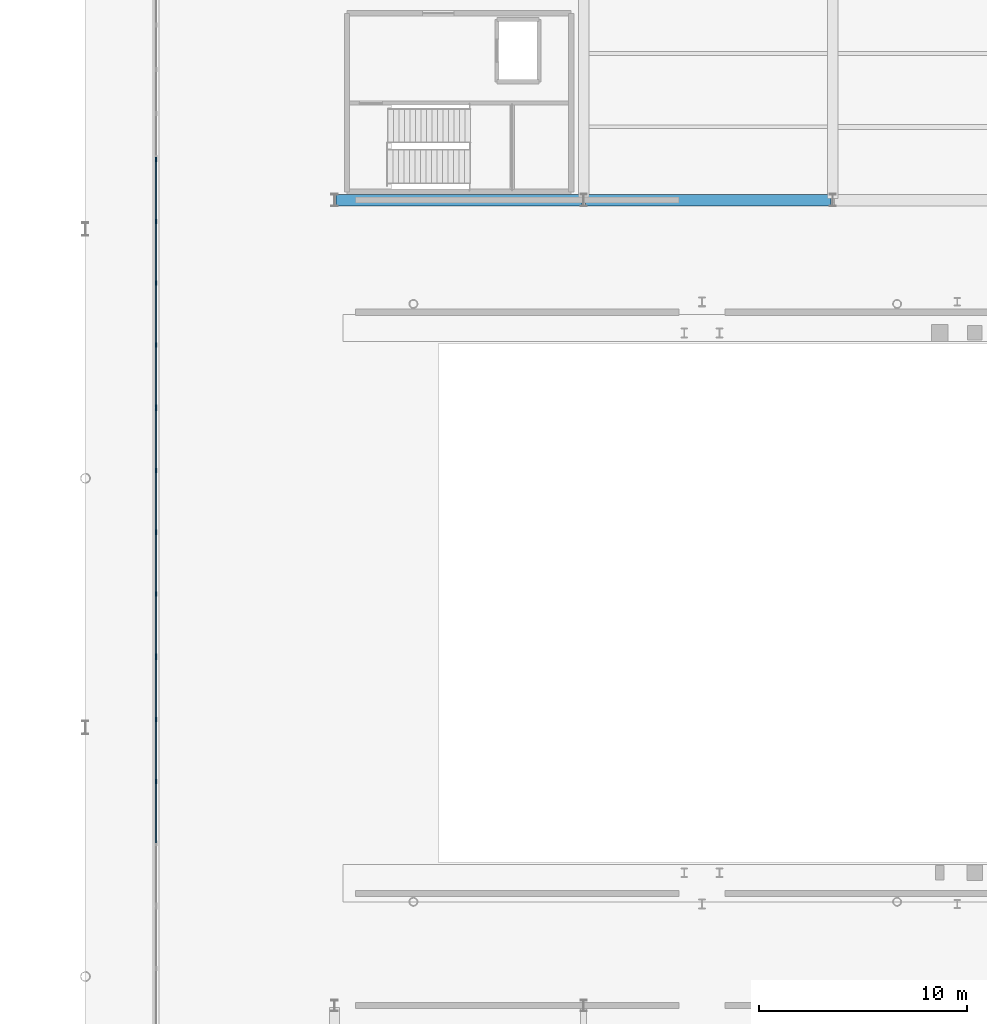
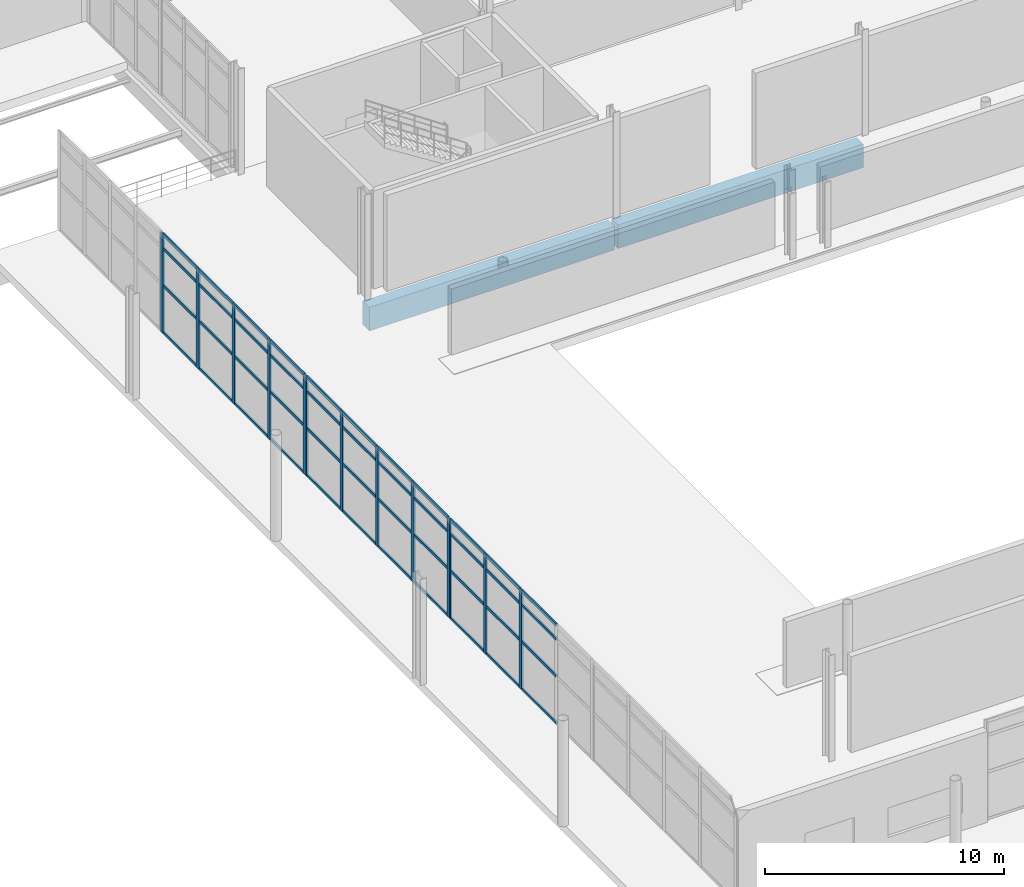
# One storey, part 18 of 85: 57 members, 2 beams, 3 elements without a shape of their own.
"""IFC4 building model written with IfcOpenShell, lengths in metres."""

from ifc_helpers import new_model, si_unit, direction, frame, origin, origin_2d, place, context, subcontext, project, spatial, rectangle, extrude, material, material_profile, profile_set, type_object, element, aggregate, save


model = new_model("IFC4")

# Units and contexts
model_context = context("Model", 3, precision=1e-05, world=origin(), true_north=direction((0.0, 1.0)))
body_context = subcontext(model_context, "Body", "Model", "MODEL_VIEW")
ifc_project = project(units=[si_unit("LENGTHUNIT", "METRE"), si_unit("AREAUNIT", "SQUARE_METRE"), si_unit("VOLUMEUNIT", "CUBIC_METRE"), si_unit("PLANEANGLEUNIT", "RADIAN"), si_unit("MASSUNIT", "GRAM", prefix="KILO"), si_unit("THERMODYNAMICTEMPERATUREUNIT", "KELVIN"), si_unit("POWERUNIT", "WATT")], contexts=[model_context])

# Site, building, storey
site_placement = place(None, origin())
site = spatial("IfcSite", under=ifc_project, at=site_placement, CompositionType="ELEMENT")
building_placement = place(site_placement, origin())
building = spatial("IfcBuilding", under=site, at=building_placement, Name="Solmara Park Aquatics Centre", CompositionType="ELEMENT")
storey_placement = place(building_placement, origin())
storey = spatial("IfcBuildingStorey", under=building, at=storey_placement, Name="L00", CompositionType="ELEMENT", Elevation=0.0)

# Curtain wall, members
ifc_material_1 = material(Name="Anodised Aluminium Curtain Wall Framing", Category="aluminium")
curtain_wall_type = type_object("IfcCurtainWallType", Name="ARC-CW-SYS01", PredefinedType="USERDEFINED", material=ifc_material_1)
curtain_wall_1_placement = place(storey_placement, origin())
curtain_wall_1 = element("IfcCurtainWall", 1, at=curtain_wall_1_placement, inside=storey, type_object=curtain_wall_type, Name="Curtain Wall CW-013", ObjectType="CURTAIN WALL", PredefinedType="USERDEFINED")
ifc_material_2 = material(Name="Anodised Aluminium Alloy 6063-T6", Category="aluminium")
ifc_material_profile_1 = material_profile(ifc_material_2, rectangle(XDim=0.074951171875, YDim=0.219970703125, at=origin_2d()), Name="ALU MULLION 75x220")
ifc_profile_set_1 = profile_set([ifc_material_profile_1], Name="Anodised Aluminium Alloy 6063-T6")
member_type_1 = type_object("IfcMemberType", Name="ARC-CWM-75x220", PredefinedType="MULLION", material=ifc_profile_set_1)
member_1_placement = place(storey_placement, frame((16.0, 34.0, 0.0), z_axis=(0.0, 0.0, 1.0), x_axis=(1.0, 0.0, 0.0)))
member_1 = element("IfcMember", 2, at=member_1_placement, type_object=member_type_1, Name="CW-013 mullion 3", PredefinedType="MULLION", context=body_context, shape_type="SweptSolid", body=[
    extrude(rectangle(XDim=0.074951171875, YDim=0.219970703125, at=origin_2d()), origin(), (0.0, 0.0, 1.0), 5.080078125),
])
member_2_placement = place(storey_placement, frame((16.0, 36.97998046875, 0.0), z_axis=(0.0, 0.0, 1.0), x_axis=(1.0, 0.0, 0.0)))
member_2 = element("IfcMember", 3, at=member_2_placement, type_object=member_type_1, Name="CW-013 mullion 4", PredefinedType="MULLION", context=body_context, shape_type="SweptSolid", body=[
    extrude(rectangle(XDim=0.074951171875, YDim=0.219970703125, at=origin_2d()), origin(), (0.0, 0.0, 1.0), 5.080078125),
])
member_3_placement = place(storey_placement, frame((16.0, 39.9599609375, 0.0), z_axis=(0.0, 0.0, 1.0), x_axis=(1.0, 0.0, 0.0)))
member_3 = element("IfcMember", 4, at=member_3_placement, type_object=member_type_1, Name="CW-013 mullion 5", PredefinedType="MULLION", context=body_context, shape_type="SweptSolid", body=[
    extrude(rectangle(XDim=0.074951171875, YDim=0.219970703125, at=origin_2d()), origin(), (0.0, 0.0, 1.0), 5.080078125),
])

curtain_wall_2_placement = place(storey_placement, origin())
curtain_wall_2 = element("IfcCurtainWall", 5, at=curtain_wall_2_placement, inside=storey, type_object=curtain_wall_type, Name="Curtain Wall CW-015", ObjectType="CURTAIN WALL", PredefinedType="USERDEFINED")
member_4_placement = place(storey_placement, frame((16.0, 40.0400390625, 0.0), z_axis=(0.0, 0.0, 1.0), x_axis=(1.0, 0.0, 0.0)))
member_4 = element("IfcMember", 6, at=member_4_placement, type_object=member_type_1, Name="CW-015 mullion 1", PredefinedType="MULLION", context=body_context, shape_type="SweptSolid", body=[
    extrude(rectangle(XDim=0.074951171875, YDim=0.219970703125, at=origin_2d()), origin(), (0.0, 0.0, 1.0), 5.080078125),
])
member_5_placement = place(storey_placement, frame((16.0, 43.02001953125, 0.0), z_axis=(0.0, 0.0, 1.0), x_axis=(1.0, 0.0, 0.0)))
member_5 = element("IfcMember", 7, at=member_5_placement, type_object=member_type_1, Name="CW-015 mullion 2", PredefinedType="MULLION", context=body_context, shape_type="SweptSolid", body=[
    extrude(rectangle(XDim=0.074951171875, YDim=0.219970703125, at=origin_2d()), origin(), (0.0, 0.0, 1.0), 5.080078125),
])
member_6_placement = place(storey_placement, frame((16.0, 46.0, 0.0), z_axis=(0.0, 0.0, 1.0), x_axis=(1.0, 0.0, 0.0)))
member_6 = element("IfcMember", 8, at=member_6_placement, type_object=member_type_1, Name="CW-015 mullion 3", PredefinedType="MULLION", context=body_context, shape_type="SweptSolid", body=[
    extrude(rectangle(XDim=0.074951171875, YDim=0.219970703125, at=origin_2d()), origin(), (0.0, 0.0, 1.0), 5.080078125),
])
member_7_placement = place(storey_placement, frame((16.0, 48.97998046875, 0.0), z_axis=(0.0, 0.0, 1.0), x_axis=(1.0, 0.0, 0.0)))
member_7 = element("IfcMember", 9, at=member_7_placement, type_object=member_type_1, Name="CW-015 mullion 4", PredefinedType="MULLION", context=body_context, shape_type="SweptSolid", body=[
    extrude(rectangle(XDim=0.074951171875, YDim=0.219970703125, at=origin_2d()), origin(), (0.0, 0.0, 1.0), 5.080078125),
])
member_8_placement = place(storey_placement, frame((16.0, 51.9599609375, 0.0), z_axis=(0.0, 0.0, 1.0), x_axis=(1.0, 0.0, 0.0)))
member_8 = element("IfcMember", 10, at=member_8_placement, type_object=member_type_1, Name="CW-015 mullion 5", PredefinedType="MULLION", context=body_context, shape_type="SweptSolid", body=[
    extrude(rectangle(XDim=0.074951171875, YDim=0.219970703125, at=origin_2d()), origin(), (0.0, 0.0, 1.0), 5.080078125),
])

curtain_wall_3_placement = place(storey_placement, origin())
curtain_wall_3 = element("IfcCurtainWall", 11, at=curtain_wall_3_placement, inside=storey, type_object=curtain_wall_type, Name="Curtain Wall CW-017", ObjectType="CURTAIN WALL", PredefinedType="USERDEFINED")
member_9_placement = place(storey_placement, frame((16.0, 52.0400390625, 0.0), z_axis=(0.0, 0.0, 1.0), x_axis=(1.0, 0.0, 0.0)))
member_9 = element("IfcMember", 12, at=member_9_placement, type_object=member_type_1, Name="CW-017 mullion 1", PredefinedType="MULLION", context=body_context, shape_type="SweptSolid", body=[
    extrude(rectangle(XDim=0.074951171875, YDim=0.219970703125, at=origin_2d()), origin(), (0.0, 0.0, 1.0), 5.080078125),
])
member_10_placement = place(storey_placement, frame((16.0, 55.02001953125, 0.0), z_axis=(0.0, 0.0, 1.0), x_axis=(1.0, 0.0, 0.0)))
member_10 = element("IfcMember", 13, at=member_10_placement, type_object=member_type_1, Name="CW-017 mullion 2", PredefinedType="MULLION", context=body_context, shape_type="SweptSolid", body=[
    extrude(rectangle(XDim=0.074951171875, YDim=0.219970703125, at=origin_2d()), origin(), (0.0, 0.0, 1.0), 5.080078125),
])
member_11_placement = place(storey_placement, frame((16.0, 58.0, 0.0), z_axis=(0.0, 0.0, 1.0), x_axis=(1.0, 0.0, 0.0)))
member_11 = element("IfcMember", 14, at=member_11_placement, type_object=member_type_1, Name="CW-017 mullion 3", PredefinedType="MULLION", context=body_context, shape_type="SweptSolid", body=[
    extrude(rectangle(XDim=0.074951171875, YDim=0.219970703125, at=origin_2d()), origin(), (0.0, 0.0, 1.0), 5.080078125),
])
member_12_placement = place(storey_placement, frame((16.0, 60.97998046875, 0.0), z_axis=(0.0, 0.0, 1.0), x_axis=(1.0, 0.0, 0.0)))
member_12 = element("IfcMember", 15, at=member_12_placement, type_object=member_type_1, Name="CW-017 mullion 4", PredefinedType="MULLION", context=body_context, shape_type="SweptSolid", body=[
    extrude(rectangle(XDim=0.074951171875, YDim=0.219970703125, at=origin_2d()), origin(), (0.0, 0.0, 1.0), 5.080078125),
])
member_13_placement = place(storey_placement, frame((16.0, 63.9599609375, 0.0), z_axis=(0.0, 0.0, 1.0), x_axis=(1.0, 0.0, 0.0)))
member_13 = element("IfcMember", 16, at=member_13_placement, type_object=member_type_1, Name="CW-017 mullion 5", PredefinedType="MULLION", context=body_context, shape_type="SweptSolid", body=[
    extrude(rectangle(XDim=0.074951171875, YDim=0.219970703125, at=origin_2d()), origin(), (0.0, 0.0, 1.0), 5.080078125),
])

# Member
ifc_material_profile_2 = material_profile(ifc_material_2, rectangle(XDim=0.074951171875, YDim=0.14990234375, at=origin_2d()), Name="ALU TRANSOM 75x150")
ifc_profile_set_2 = profile_set([ifc_material_profile_2], Name="Anodised Aluminium Alloy 6063-T6")
member_type_2 = type_object("IfcMemberType", Name="ARC-CWT-75x150", PredefinedType="USERDEFINED", material=ifc_profile_set_2)
member_14_placement = place(storey_placement, frame((16.0, 31.0400390625, 0.0400390625), z_axis=(0.0, 1.0, 0.0), x_axis=(-1.0, 0.0, 0.0)))
member_14 = element("IfcMember", 17, at=member_14_placement, type_object=member_type_2, Name="CW-013 transom 5", ObjectType="TRANSOM", PredefinedType="USERDEFINED", context=body_context, shape_type="SweptSolid", body=[
    extrude(rectangle(XDim=0.074951171875, YDim=0.14990234375, at=origin_2d()), origin(), (0.0, 0.0, 1.0), 2.89990234375),
])

member_15_placement = place(storey_placement, frame((16.0, 31.0400390625, 2.449951171875), z_axis=(0.0, 1.0, 0.0), x_axis=(-1.0, 0.0, 0.0)))
member_15 = element("IfcMember", 18, at=member_15_placement, type_object=member_type_2, Name="CW-013 transom 6", ObjectType="TRANSOM", PredefinedType="USERDEFINED", context=body_context, shape_type="SweptSolid", body=[
    extrude(rectangle(XDim=0.074951171875, YDim=0.14990234375, at=origin_2d()), origin(), (0.0, 0.0, 1.0), 2.89990234375),
])

member_16_placement = place(storey_placement, frame((16.0, 31.0400390625, 4.330078125), z_axis=(0.0, 1.0, 0.0), x_axis=(-1.0, 0.0, 0.0)))
member_16 = element("IfcMember", 19, at=member_16_placement, type_object=member_type_2, Name="CW-013 transom 7", ObjectType="TRANSOM", PredefinedType="USERDEFINED", context=body_context, shape_type="SweptSolid", body=[
    extrude(rectangle(XDim=0.074951171875, YDim=0.14990234375, at=origin_2d()), origin(), (0.0, 0.0, 1.0), 2.89990234375),
])

member_17_placement = place(storey_placement, frame((16.0, 31.0400390625, 5.0400390625), z_axis=(0.0, 1.0, 0.0), x_axis=(-1.0, 0.0, 0.0)))
member_17 = element("IfcMember", 20, at=member_17_placement, type_object=member_type_2, Name="CW-013 transom 8", ObjectType="TRANSOM", PredefinedType="USERDEFINED", context=body_context, shape_type="SweptSolid", body=[
    extrude(rectangle(XDim=0.074951171875, YDim=0.14990234375, at=origin_2d()), origin(), (0.0, 0.0, 1.0), 2.89990234375),
])

member_18_placement = place(storey_placement, frame((16.0, 34.02001953125, 0.0400390625), z_axis=(0.0, 1.0, 0.0), x_axis=(-1.0, 0.0, 0.0)))
member_18 = element("IfcMember", 21, at=member_18_placement, type_object=member_type_2, Name="CW-013 transom 9", ObjectType="TRANSOM", PredefinedType="USERDEFINED", context=body_context, shape_type="SweptSolid", body=[
    extrude(rectangle(XDim=0.074951171875, YDim=0.14990234375, at=origin_2d()), origin(), (0.0, 0.0, 1.0), 2.89990234375),
])

member_19_placement = place(storey_placement, frame((16.0, 34.02001953125, 2.449951171875), z_axis=(0.0, 1.0, 0.0), x_axis=(-1.0, 0.0, 0.0)))
member_19 = element("IfcMember", 22, at=member_19_placement, type_object=member_type_2, Name="CW-013 transom 10", ObjectType="TRANSOM", PredefinedType="USERDEFINED", context=body_context, shape_type="SweptSolid", body=[
    extrude(rectangle(XDim=0.074951171875, YDim=0.14990234375, at=origin_2d()), origin(), (0.0, 0.0, 1.0), 2.89990234375),
])

member_20_placement = place(storey_placement, frame((16.0, 34.02001953125, 4.330078125), z_axis=(0.0, 1.0, 0.0), x_axis=(-1.0, 0.0, 0.0)))
member_20 = element("IfcMember", 23, at=member_20_placement, type_object=member_type_2, Name="CW-013 transom 11", ObjectType="TRANSOM", PredefinedType="USERDEFINED", context=body_context, shape_type="SweptSolid", body=[
    extrude(rectangle(XDim=0.074951171875, YDim=0.14990234375, at=origin_2d()), origin(), (0.0, 0.0, 1.0), 2.89990234375),
])

member_21_placement = place(storey_placement, frame((16.0, 34.02001953125, 5.0400390625), z_axis=(0.0, 1.0, 0.0), x_axis=(-1.0, 0.0, 0.0)))
member_21 = element("IfcMember", 24, at=member_21_placement, type_object=member_type_2, Name="CW-013 transom 12", ObjectType="TRANSOM", PredefinedType="USERDEFINED", context=body_context, shape_type="SweptSolid", body=[
    extrude(rectangle(XDim=0.074951171875, YDim=0.14990234375, at=origin_2d()), origin(), (0.0, 0.0, 1.0), 2.89990234375),
])

member_22_placement = place(storey_placement, frame((16.0, 37.0, 0.0400390625), z_axis=(0.0, 1.0, 0.0), x_axis=(-1.0, 0.0, 0.0)))
member_22 = element("IfcMember", 25, at=member_22_placement, type_object=member_type_2, Name="CW-013 transom 13", ObjectType="TRANSOM", PredefinedType="USERDEFINED", context=body_context, shape_type="SweptSolid", body=[
    extrude(rectangle(XDim=0.074951171875, YDim=0.14990234375, at=origin_2d()), origin(), (0.0, 0.0, 1.0), 2.89990234375),
])

member_23_placement = place(storey_placement, frame((16.0, 37.0, 2.449951171875), z_axis=(0.0, 1.0, 0.0), x_axis=(-1.0, 0.0, 0.0)))
member_23 = element("IfcMember", 26, at=member_23_placement, type_object=member_type_2, Name="CW-013 transom 14", ObjectType="TRANSOM", PredefinedType="USERDEFINED", context=body_context, shape_type="SweptSolid", body=[
    extrude(rectangle(XDim=0.074951171875, YDim=0.14990234375, at=origin_2d()), origin(), (0.0, 0.0, 1.0), 2.89990234375),
])

member_24_placement = place(storey_placement, frame((16.0, 37.0, 4.330078125), z_axis=(0.0, 1.0, 0.0), x_axis=(-1.0, 0.0, 0.0)))
member_24 = element("IfcMember", 27, at=member_24_placement, type_object=member_type_2, Name="CW-013 transom 15", ObjectType="TRANSOM", PredefinedType="USERDEFINED", context=body_context, shape_type="SweptSolid", body=[
    extrude(rectangle(XDim=0.074951171875, YDim=0.14990234375, at=origin_2d()), origin(), (0.0, 0.0, 1.0), 2.89990234375),
])

member_25_placement = place(storey_placement, frame((16.0, 37.0, 5.0400390625), z_axis=(0.0, 1.0, 0.0), x_axis=(-1.0, 0.0, 0.0)))
member_25 = element("IfcMember", 28, at=member_25_placement, type_object=member_type_2, Name="CW-013 transom 16", ObjectType="TRANSOM", PredefinedType="USERDEFINED", context=body_context, shape_type="SweptSolid", body=[
    extrude(rectangle(XDim=0.074951171875, YDim=0.14990234375, at=origin_2d()), origin(), (0.0, 0.0, 1.0), 2.89990234375),
])

aggregate(curtain_wall_1, [member_1, member_2, member_3, member_14, member_15, member_16, member_17, member_18, member_19, member_20, member_21, member_22, member_23, member_24, member_25])

member_26_placement = place(storey_placement, frame((16.0, 40.06005859375, 0.0400390625), z_axis=(0.0, 1.0, 0.0), x_axis=(-1.0, 0.0, 0.0)))
member_26 = element("IfcMember", 29, at=member_26_placement, type_object=member_type_2, Name="CW-015 transom 1", ObjectType="TRANSOM", PredefinedType="USERDEFINED", context=body_context, shape_type="SweptSolid", body=[
    extrude(rectangle(XDim=0.074951171875, YDim=0.14990234375, at=origin_2d()), origin(), (0.0, 0.0, 1.0), 2.89990234375),
])

member_27_placement = place(storey_placement, frame((16.0, 40.06005859375, 2.449951171875), z_axis=(0.0, 1.0, 0.0), x_axis=(-1.0, 0.0, 0.0)))
member_27 = element("IfcMember", 30, at=member_27_placement, type_object=member_type_2, Name="CW-015 transom 2", ObjectType="TRANSOM", PredefinedType="USERDEFINED", context=body_context, shape_type="SweptSolid", body=[
    extrude(rectangle(XDim=0.074951171875, YDim=0.14990234375, at=origin_2d()), origin(), (0.0, 0.0, 1.0), 2.89990234375),
])

member_28_placement = place(storey_placement, frame((16.0, 40.06005859375, 4.330078125), z_axis=(0.0, 1.0, 0.0), x_axis=(-1.0, 0.0, 0.0)))
member_28 = element("IfcMember", 31, at=member_28_placement, type_object=member_type_2, Name="CW-015 transom 3", ObjectType="TRANSOM", PredefinedType="USERDEFINED", context=body_context, shape_type="SweptSolid", body=[
    extrude(rectangle(XDim=0.074951171875, YDim=0.14990234375, at=origin_2d()), origin(), (0.0, 0.0, 1.0), 2.89990234375),
])

member_29_placement = place(storey_placement, frame((16.0, 40.06005859375, 5.0400390625), z_axis=(0.0, 1.0, 0.0), x_axis=(-1.0, 0.0, 0.0)))
member_29 = element("IfcMember", 32, at=member_29_placement, type_object=member_type_2, Name="CW-015 transom 4", ObjectType="TRANSOM", PredefinedType="USERDEFINED", context=body_context, shape_type="SweptSolid", body=[
    extrude(rectangle(XDim=0.074951171875, YDim=0.14990234375, at=origin_2d()), origin(), (0.0, 0.0, 1.0), 2.89990234375),
])

member_30_placement = place(storey_placement, frame((16.0, 43.0400390625, 0.0400390625), z_axis=(0.0, 1.0, 0.0), x_axis=(-1.0, 0.0, 0.0)))
member_30 = element("IfcMember", 33, at=member_30_placement, type_object=member_type_2, Name="CW-015 transom 5", ObjectType="TRANSOM", PredefinedType="USERDEFINED", context=body_context, shape_type="SweptSolid", body=[
    extrude(rectangle(XDim=0.074951171875, YDim=0.14990234375, at=origin_2d()), origin(), (0.0, 0.0, 1.0), 2.89990234375),
])

member_31_placement = place(storey_placement, frame((16.0, 43.0400390625, 2.449951171875), z_axis=(0.0, 1.0, 0.0), x_axis=(-1.0, 0.0, 0.0)))
member_31 = element("IfcMember", 34, at=member_31_placement, type_object=member_type_2, Name="CW-015 transom 6", ObjectType="TRANSOM", PredefinedType="USERDEFINED", context=body_context, shape_type="SweptSolid", body=[
    extrude(rectangle(XDim=0.074951171875, YDim=0.14990234375, at=origin_2d()), origin(), (0.0, 0.0, 1.0), 2.89990234375),
])

member_32_placement = place(storey_placement, frame((16.0, 43.0400390625, 4.330078125), z_axis=(0.0, 1.0, 0.0), x_axis=(-1.0, 0.0, 0.0)))
member_32 = element("IfcMember", 35, at=member_32_placement, type_object=member_type_2, Name="CW-015 transom 7", ObjectType="TRANSOM", PredefinedType="USERDEFINED", context=body_context, shape_type="SweptSolid", body=[
    extrude(rectangle(XDim=0.074951171875, YDim=0.14990234375, at=origin_2d()), origin(), (0.0, 0.0, 1.0), 2.89990234375),
])

member_33_placement = place(storey_placement, frame((16.0, 43.0400390625, 5.0400390625), z_axis=(0.0, 1.0, 0.0), x_axis=(-1.0, 0.0, 0.0)))
member_33 = element("IfcMember", 36, at=member_33_placement, type_object=member_type_2, Name="CW-015 transom 8", ObjectType="TRANSOM", PredefinedType="USERDEFINED", context=body_context, shape_type="SweptSolid", body=[
    extrude(rectangle(XDim=0.074951171875, YDim=0.14990234375, at=origin_2d()), origin(), (0.0, 0.0, 1.0), 2.89990234375),
])

member_34_placement = place(storey_placement, frame((16.0, 46.02001953125, 0.0400390625), z_axis=(0.0, 1.0, 0.0), x_axis=(-1.0, 0.0, 0.0)))
member_34 = element("IfcMember", 37, at=member_34_placement, type_object=member_type_2, Name="CW-015 transom 9", ObjectType="TRANSOM", PredefinedType="USERDEFINED", context=body_context, shape_type="SweptSolid", body=[
    extrude(rectangle(XDim=0.074951171875, YDim=0.14990234375, at=origin_2d()), origin(), (0.0, 0.0, 1.0), 2.89990234375),
])

member_35_placement = place(storey_placement, frame((16.0, 46.02001953125, 2.449951171875), z_axis=(0.0, 1.0, 0.0), x_axis=(-1.0, 0.0, 0.0)))
member_35 = element("IfcMember", 38, at=member_35_placement, type_object=member_type_2, Name="CW-015 transom 10", ObjectType="TRANSOM", PredefinedType="USERDEFINED", context=body_context, shape_type="SweptSolid", body=[
    extrude(rectangle(XDim=0.074951171875, YDim=0.14990234375, at=origin_2d()), origin(), (0.0, 0.0, 1.0), 2.89990234375),
])

member_36_placement = place(storey_placement, frame((16.0, 46.02001953125, 4.330078125), z_axis=(0.0, 1.0, 0.0), x_axis=(-1.0, 0.0, 0.0)))
member_36 = element("IfcMember", 39, at=member_36_placement, type_object=member_type_2, Name="CW-015 transom 11", ObjectType="TRANSOM", PredefinedType="USERDEFINED", context=body_context, shape_type="SweptSolid", body=[
    extrude(rectangle(XDim=0.074951171875, YDim=0.14990234375, at=origin_2d()), origin(), (0.0, 0.0, 1.0), 2.89990234375),
])

member_37_placement = place(storey_placement, frame((16.0, 46.02001953125, 5.0400390625), z_axis=(0.0, 1.0, 0.0), x_axis=(-1.0, 0.0, 0.0)))
member_37 = element("IfcMember", 40, at=member_37_placement, type_object=member_type_2, Name="CW-015 transom 12", ObjectType="TRANSOM", PredefinedType="USERDEFINED", context=body_context, shape_type="SweptSolid", body=[
    extrude(rectangle(XDim=0.074951171875, YDim=0.14990234375, at=origin_2d()), origin(), (0.0, 0.0, 1.0), 2.89990234375),
])

member_38_placement = place(storey_placement, frame((16.0, 49.0, 0.0400390625), z_axis=(0.0, 1.0, 0.0), x_axis=(-1.0, 0.0, 0.0)))
member_38 = element("IfcMember", 41, at=member_38_placement, type_object=member_type_2, Name="CW-015 transom 13", ObjectType="TRANSOM", PredefinedType="USERDEFINED", context=body_context, shape_type="SweptSolid", body=[
    extrude(rectangle(XDim=0.074951171875, YDim=0.14990234375, at=origin_2d()), origin(), (0.0, 0.0, 1.0), 2.89990234375),
])

member_39_placement = place(storey_placement, frame((16.0, 49.0, 2.449951171875), z_axis=(0.0, 1.0, 0.0), x_axis=(-1.0, 0.0, 0.0)))
member_39 = element("IfcMember", 42, at=member_39_placement, type_object=member_type_2, Name="CW-015 transom 14", ObjectType="TRANSOM", PredefinedType="USERDEFINED", context=body_context, shape_type="SweptSolid", body=[
    extrude(rectangle(XDim=0.074951171875, YDim=0.14990234375, at=origin_2d()), origin(), (0.0, 0.0, 1.0), 2.89990234375),
])

member_40_placement = place(storey_placement, frame((16.0, 49.0, 4.330078125), z_axis=(0.0, 1.0, 0.0), x_axis=(-1.0, 0.0, 0.0)))
member_40 = element("IfcMember", 43, at=member_40_placement, type_object=member_type_2, Name="CW-015 transom 15", ObjectType="TRANSOM", PredefinedType="USERDEFINED", context=body_context, shape_type="SweptSolid", body=[
    extrude(rectangle(XDim=0.074951171875, YDim=0.14990234375, at=origin_2d()), origin(), (0.0, 0.0, 1.0), 2.89990234375),
])

member_41_placement = place(storey_placement, frame((16.0, 49.0, 5.0400390625), z_axis=(0.0, 1.0, 0.0), x_axis=(-1.0, 0.0, 0.0)))
member_41 = element("IfcMember", 44, at=member_41_placement, type_object=member_type_2, Name="CW-015 transom 16", ObjectType="TRANSOM", PredefinedType="USERDEFINED", context=body_context, shape_type="SweptSolid", body=[
    extrude(rectangle(XDim=0.074951171875, YDim=0.14990234375, at=origin_2d()), origin(), (0.0, 0.0, 1.0), 2.89990234375),
])

aggregate(curtain_wall_2, [member_4, member_5, member_6, member_7, member_8, member_26, member_27, member_28, member_29, member_30, member_31, member_32, member_33, member_34, member_35, member_36, member_37, member_38, member_39, member_40, member_41])

member_42_placement = place(storey_placement, frame((16.0, 52.06005859375, 0.0400390625), z_axis=(0.0, 1.0, 0.0), x_axis=(-1.0, 0.0, 0.0)))
member_42 = element("IfcMember", 45, at=member_42_placement, type_object=member_type_2, Name="CW-017 transom 1", ObjectType="TRANSOM", PredefinedType="USERDEFINED", context=body_context, shape_type="SweptSolid", body=[
    extrude(rectangle(XDim=0.074951171875, YDim=0.14990234375, at=origin_2d()), origin(), (0.0, 0.0, 1.0), 2.89990234375),
])

member_43_placement = place(storey_placement, frame((16.0, 52.06005859375, 2.449951171875), z_axis=(0.0, 1.0, 0.0), x_axis=(-1.0, 0.0, 0.0)))
member_43 = element("IfcMember", 46, at=member_43_placement, type_object=member_type_2, Name="CW-017 transom 2", ObjectType="TRANSOM", PredefinedType="USERDEFINED", context=body_context, shape_type="SweptSolid", body=[
    extrude(rectangle(XDim=0.074951171875, YDim=0.14990234375, at=origin_2d()), origin(), (0.0, 0.0, 1.0), 2.89990234375),
])

member_44_placement = place(storey_placement, frame((16.0, 52.06005859375, 4.330078125), z_axis=(0.0, 1.0, 0.0), x_axis=(-1.0, 0.0, 0.0)))
member_44 = element("IfcMember", 47, at=member_44_placement, type_object=member_type_2, Name="CW-017 transom 3", ObjectType="TRANSOM", PredefinedType="USERDEFINED", context=body_context, shape_type="SweptSolid", body=[
    extrude(rectangle(XDim=0.074951171875, YDim=0.14990234375, at=origin_2d()), origin(), (0.0, 0.0, 1.0), 2.89990234375),
])

member_45_placement = place(storey_placement, frame((16.0, 52.06005859375, 5.0400390625), z_axis=(0.0, 1.0, 0.0), x_axis=(-1.0, 0.0, 0.0)))
member_45 = element("IfcMember", 48, at=member_45_placement, type_object=member_type_2, Name="CW-017 transom 4", ObjectType="TRANSOM", PredefinedType="USERDEFINED", context=body_context, shape_type="SweptSolid", body=[
    extrude(rectangle(XDim=0.074951171875, YDim=0.14990234375, at=origin_2d()), origin(), (0.0, 0.0, 1.0), 2.89990234375),
])

member_46_placement = place(storey_placement, frame((16.0, 55.0400390625, 0.0400390625), z_axis=(0.0, 1.0, 0.0), x_axis=(-1.0, 0.0, 0.0)))
member_46 = element("IfcMember", 49, at=member_46_placement, type_object=member_type_2, Name="CW-017 transom 5", ObjectType="TRANSOM", PredefinedType="USERDEFINED", context=body_context, shape_type="SweptSolid", body=[
    extrude(rectangle(XDim=0.074951171875, YDim=0.14990234375, at=origin_2d()), origin(), (0.0, 0.0, 1.0), 2.89990234375),
])

member_47_placement = place(storey_placement, frame((16.0, 55.0400390625, 2.449951171875), z_axis=(0.0, 1.0, 0.0), x_axis=(-1.0, 0.0, 0.0)))
member_47 = element("IfcMember", 50, at=member_47_placement, type_object=member_type_2, Name="CW-017 transom 6", ObjectType="TRANSOM", PredefinedType="USERDEFINED", context=body_context, shape_type="SweptSolid", body=[
    extrude(rectangle(XDim=0.074951171875, YDim=0.14990234375, at=origin_2d()), origin(), (0.0, 0.0, 1.0), 2.89990234375),
])

member_48_placement = place(storey_placement, frame((16.0, 55.0400390625, 4.330078125), z_axis=(0.0, 1.0, 0.0), x_axis=(-1.0, 0.0, 0.0)))
member_48 = element("IfcMember", 51, at=member_48_placement, type_object=member_type_2, Name="CW-017 transom 7", ObjectType="TRANSOM", PredefinedType="USERDEFINED", context=body_context, shape_type="SweptSolid", body=[
    extrude(rectangle(XDim=0.074951171875, YDim=0.14990234375, at=origin_2d()), origin(), (0.0, 0.0, 1.0), 2.89990234375),
])

member_49_placement = place(storey_placement, frame((16.0, 55.0400390625, 5.0400390625), z_axis=(0.0, 1.0, 0.0), x_axis=(-1.0, 0.0, 0.0)))
member_49 = element("IfcMember", 52, at=member_49_placement, type_object=member_type_2, Name="CW-017 transom 8", ObjectType="TRANSOM", PredefinedType="USERDEFINED", context=body_context, shape_type="SweptSolid", body=[
    extrude(rectangle(XDim=0.074951171875, YDim=0.14990234375, at=origin_2d()), origin(), (0.0, 0.0, 1.0), 2.89990234375),
])

member_50_placement = place(storey_placement, frame((16.0, 58.02001953125, 0.0400390625), z_axis=(0.0, 1.0, 0.0), x_axis=(-1.0, 0.0, 0.0)))
member_50 = element("IfcMember", 53, at=member_50_placement, type_object=member_type_2, Name="CW-017 transom 9", ObjectType="TRANSOM", PredefinedType="USERDEFINED", context=body_context, shape_type="SweptSolid", body=[
    extrude(rectangle(XDim=0.074951171875, YDim=0.14990234375, at=origin_2d()), origin(), (0.0, 0.0, 1.0), 2.89990234375),
])

member_51_placement = place(storey_placement, frame((16.0, 58.02001953125, 2.449951171875), z_axis=(0.0, 1.0, 0.0), x_axis=(-1.0, 0.0, 0.0)))
member_51 = element("IfcMember", 54, at=member_51_placement, type_object=member_type_2, Name="CW-017 transom 10", ObjectType="TRANSOM", PredefinedType="USERDEFINED", context=body_context, shape_type="SweptSolid", body=[
    extrude(rectangle(XDim=0.074951171875, YDim=0.14990234375, at=origin_2d()), origin(), (0.0, 0.0, 1.0), 2.89990234375),
])

member_52_placement = place(storey_placement, frame((16.0, 58.02001953125, 4.330078125), z_axis=(0.0, 1.0, 0.0), x_axis=(-1.0, 0.0, 0.0)))
member_52 = element("IfcMember", 55, at=member_52_placement, type_object=member_type_2, Name="CW-017 transom 11", ObjectType="TRANSOM", PredefinedType="USERDEFINED", context=body_context, shape_type="SweptSolid", body=[
    extrude(rectangle(XDim=0.074951171875, YDim=0.14990234375, at=origin_2d()), origin(), (0.0, 0.0, 1.0), 2.89990234375),
])

member_53_placement = place(storey_placement, frame((16.0, 58.02001953125, 5.0400390625), z_axis=(0.0, 1.0, 0.0), x_axis=(-1.0, 0.0, 0.0)))
member_53 = element("IfcMember", 56, at=member_53_placement, type_object=member_type_2, Name="CW-017 transom 12", ObjectType="TRANSOM", PredefinedType="USERDEFINED", context=body_context, shape_type="SweptSolid", body=[
    extrude(rectangle(XDim=0.074951171875, YDim=0.14990234375, at=origin_2d()), origin(), (0.0, 0.0, 1.0), 2.89990234375),
])

member_54_placement = place(storey_placement, frame((16.0, 61.0, 0.0400390625), z_axis=(0.0, 1.0, 0.0), x_axis=(-1.0, 0.0, 0.0)))
member_54 = element("IfcMember", 57, at=member_54_placement, type_object=member_type_2, Name="CW-017 transom 13", ObjectType="TRANSOM", PredefinedType="USERDEFINED", context=body_context, shape_type="SweptSolid", body=[
    extrude(rectangle(XDim=0.074951171875, YDim=0.14990234375, at=origin_2d()), origin(), (0.0, 0.0, 1.0), 2.89990234375),
])

member_55_placement = place(storey_placement, frame((16.0, 61.0, 2.449951171875), z_axis=(0.0, 1.0, 0.0), x_axis=(-1.0, 0.0, 0.0)))
member_55 = element("IfcMember", 58, at=member_55_placement, type_object=member_type_2, Name="CW-017 transom 14", ObjectType="TRANSOM", PredefinedType="USERDEFINED", context=body_context, shape_type="SweptSolid", body=[
    extrude(rectangle(XDim=0.074951171875, YDim=0.14990234375, at=origin_2d()), origin(), (0.0, 0.0, 1.0), 2.89990234375),
])

member_56_placement = place(storey_placement, frame((16.0, 61.0, 4.330078125), z_axis=(0.0, 1.0, 0.0), x_axis=(-1.0, 0.0, 0.0)))
member_56 = element("IfcMember", 59, at=member_56_placement, type_object=member_type_2, Name="CW-017 transom 15", ObjectType="TRANSOM", PredefinedType="USERDEFINED", context=body_context, shape_type="SweptSolid", body=[
    extrude(rectangle(XDim=0.074951171875, YDim=0.14990234375, at=origin_2d()), origin(), (0.0, 0.0, 1.0), 2.89990234375),
])

member_57_placement = place(storey_placement, frame((16.0, 61.0, 5.0400390625), z_axis=(0.0, 1.0, 0.0), x_axis=(-1.0, 0.0, 0.0)))
member_57 = element("IfcMember", 60, at=member_57_placement, type_object=member_type_2, Name="CW-017 transom 16", ObjectType="TRANSOM", PredefinedType="USERDEFINED", context=body_context, shape_type="SweptSolid", body=[
    extrude(rectangle(XDim=0.074951171875, YDim=0.14990234375, at=origin_2d()), origin(), (0.0, 0.0, 1.0), 2.89990234375),
])

aggregate(curtain_wall_3, [member_9, member_10, member_11, member_12, member_13, member_42, member_43, member_44, member_45, member_46, member_47, member_48, member_49, member_50, member_51, member_52, member_53, member_54, member_55, member_56, member_57])

# Beams
ifc_material_3 = material(Name="Concrete C40/50", Category="concrete")
ifc_material_profile_3 = material_profile(ifc_material_3, rectangle(XDim=0.550048828125, YDim=1.199951171875, at=origin_2d()), Name="RC 550x1200")
ifc_profile_set_3 = profile_set([ifc_material_profile_3], Name="Concrete C40/50")
beam_type = type_object("IfcBeamType", Name="STR-BM-RC550x1200", PredefinedType="BEAM", material=ifc_profile_set_3)
for number, where, z_axis, x_axis, name in (
    (61, (24.679931640625, 62.0, -1.02001953125), (1.0, 0.0, 0.0), (0.0, 1.0, 0.0), "Girder BM-L00-0008"),
    (62, (36.679931640625, 62.0, -1.02001953125), (1.0, 0.0, 0.0), (0.0, 1.0, 0.0), "Girder BM-L00-0009"),
):
    element("IfcBeam", number, at=place(storey_placement, frame(where, z_axis=z_axis, x_axis=x_axis)), inside=storey, type_object=beam_type, Name=name, PredefinedType="BEAM", context=body_context, shape_type="SweptSolid", body=[
        extrude(rectangle(XDim=0.550048828125, YDim=1.199951171875, at=origin_2d()), origin(), (0.0, 0.0, 1.0), 11.840087890625),
    ])

save(model, "model.ifc")
